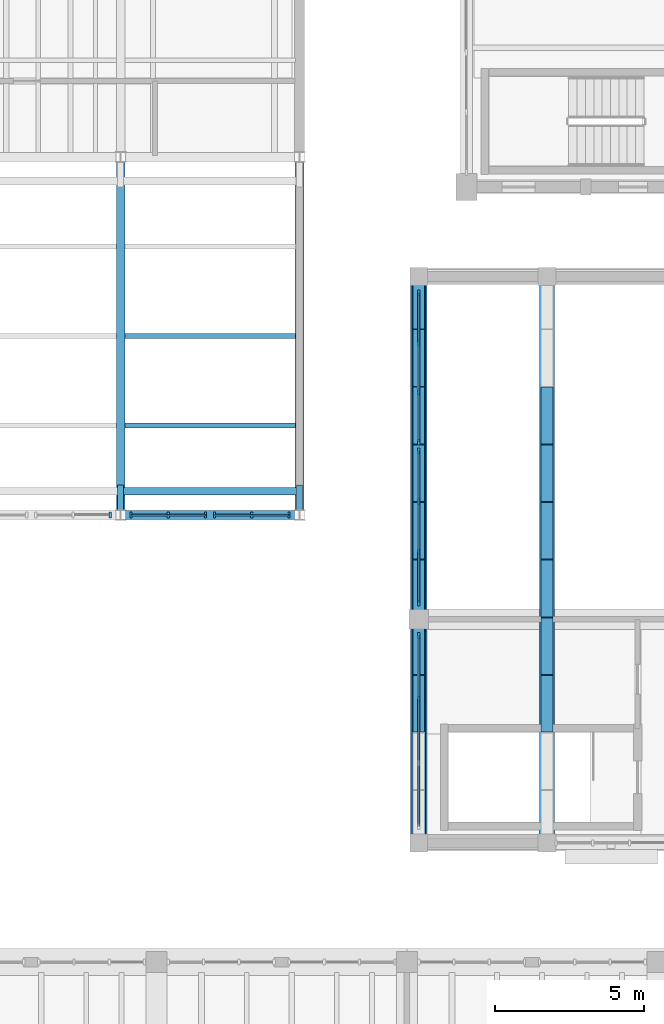
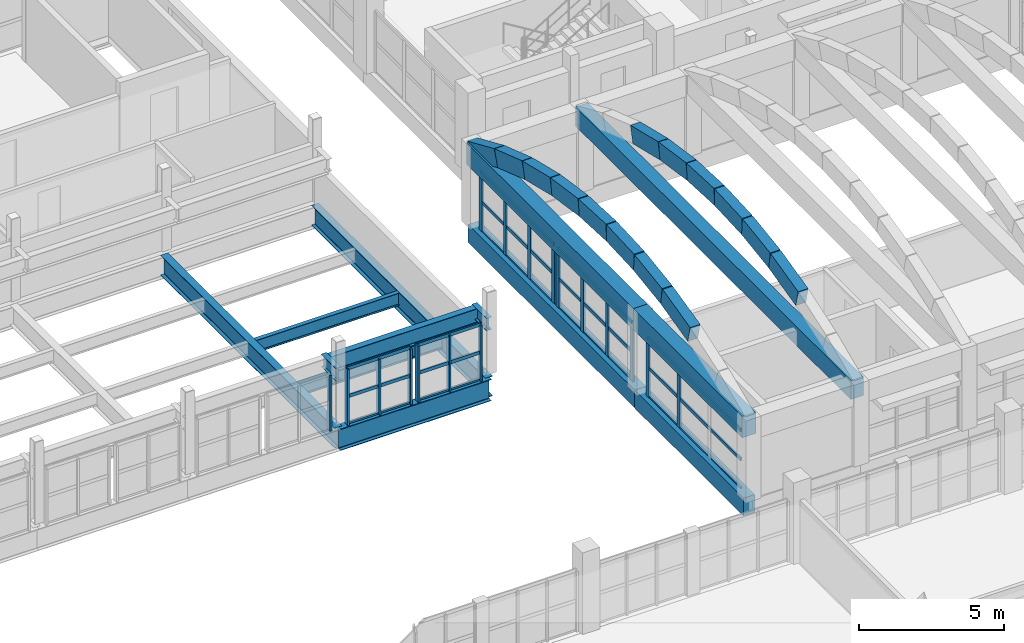
# One storey, part 42 of 77: 46 members, 13 beams, 6 elements without a shape of their own.
"""IFC4 building model written with IfcOpenShell, lengths in metres."""

from ifc_helpers import new_model, si_unit, direction, frame, origin, origin_2d, place, context, subcontext, project, spatial, rectangle, i_section, extrude, material, layer, layer_set, material_profile, profile_set, type_object, element, aggregate, save


model = new_model("IFC4")

# Units and contexts
model_context = context("Model", 3, precision=1e-05, world=origin(), true_north=direction((0.0, 1.0)))
body_context = subcontext(model_context, "Body", "Model", "MODEL_VIEW")
ifc_project = project(units=[si_unit("LENGTHUNIT", "METRE"), si_unit("AREAUNIT", "SQUARE_METRE"), si_unit("VOLUMEUNIT", "CUBIC_METRE"), si_unit("PLANEANGLEUNIT", "RADIAN"), si_unit("MASSUNIT", "GRAM", prefix="KILO")], contexts=[model_context])

# Site, building, storey
site_placement = place(None, origin())
site = spatial("IfcSite", under=ifc_project, at=site_placement, CompositionType="ELEMENT")
building_placement = place(site_placement, origin())
building = spatial("IfcBuilding", under=site, at=building_placement, Name="Trellovar Central Fire Station", CompositionType="ELEMENT")
storey_placement = place(building_placement, frame((0.0, 0.0, 5.85009765625)))
storey = spatial("IfcBuildingStorey", under=building, at=storey_placement, Name="L02", CompositionType="ELEMENT", Elevation=5.85009765625)

# Beams
ifc_material_1 = material(Name="Concrete C40/50", Category="concrete")
ifc_material_profile_1 = material_profile(ifc_material_1, rectangle(XDim=0.449951171875, YDim=0.75, at=origin_2d()), Name="RC450X750")
ifc_profile_set_1 = profile_set([ifc_material_profile_1], Name="Concrete C40/50")
beam_type_1 = type_object("IfcBeamType", Name="BM-G2", PredefinedType="BEAM", material=ifc_profile_set_1)
beam_1_placement = place(storey_placement, frame((139.5, 37.0, -0.375), z_axis=(0.0, 1.0, 0.0), x_axis=(-1.0, 0.0, 0.0)))
element("IfcBeam", 1, at=beam_1_placement, inside=storey, type_object=beam_type_1, Name="L02 beam G-2", PredefinedType="BEAM", context=body_context, shape_type="SweptSolid", body=[
    extrude(rectangle(XDim=0.449951171875, YDim=0.75, at=origin_2d()), origin(), (0.0, 0.0, 1.0), 7.5),
])
beam_2_placement = place(storey_placement, frame((139.5, 44.5, -0.375), z_axis=(0.0, 1.0, 0.0), x_axis=(-1.0, 0.0, 0.0)))
element("IfcBeam", 2, at=beam_2_placement, inside=storey, type_object=beam_type_1, Name="L02 beam G-2", PredefinedType="BEAM", context=body_context, shape_type="SweptSolid", body=[
    extrude(rectangle(XDim=0.449951171875, YDim=0.75, at=origin_2d()), origin(), (0.0, 0.0, 1.0), 11.5),
])
ifc_material_2 = material(Name="Concrete C40/50", Category="concrete")
ifc_material_profile_2 = material_profile(ifc_material_2, rectangle(XDim=0.550048828125, YDim=0.89990234375, at=origin_2d()), Name="RC550X900")
ifc_profile_set_2 = profile_set([ifc_material_profile_2], Name="Concrete C40/50")
beam_type_2 = type_object("IfcBeamType", Name="BM-RG3", PredefinedType="BEAM", material=ifc_profile_set_2)
beam_3_placement = place(storey_placement, frame((139.5, 37.0, 3.0), z_axis=(0.0, 1.0, 0.0), x_axis=(-1.0, 0.0, 0.0)))
element("IfcBeam", 3, at=beam_3_placement, inside=storey, type_object=beam_type_2, Name="L02 beam RG-3", PredefinedType="BEAM", context=body_context, shape_type="SweptSolid", body=[
    extrude(rectangle(XDim=0.550048828125, YDim=0.89990234375, at=origin_2d()), origin(), (0.0, 0.0, 1.0), 7.5),
])
beam_4_placement = place(storey_placement, frame((139.5, 44.5, 3.0), z_axis=(0.0, 1.0, 0.0), x_axis=(-1.0, 0.0, 0.0)))
element("IfcBeam", 4, at=beam_4_placement, inside=storey, type_object=beam_type_2, Name="L02 beam RG-3", PredefinedType="BEAM", context=body_context, shape_type="SweptSolid", body=[
    extrude(rectangle(XDim=0.550048828125, YDim=0.89990234375, at=origin_2d()), origin(), (0.0, 0.0, 1.0), 11.5),
])
ifc_material_3 = material(Name="Steel ASTM A992 Grade 50", Category="steel")
ifc_material_profile_3 = material_profile(ifc_material_3, i_section(OverallWidth=0.3046875, OverallDepth=0.911865234375, WebThickness=0.015869140625, FlangeThickness=0.02392578125, FilletRadius=0.024169921875, at=origin_2d()), Name="W36X150")
ifc_profile_set_3 = profile_set([ifc_material_profile_3], Name="Steel ASTM A992 Grade 50")
beam_type_3 = type_object("IfcBeamType", Name="BM-SW1", PredefinedType="BEAM", material=ifc_profile_set_3)
beam_5_placement = place(storey_placement, frame((129.5, 48.0, -0.7060546875), z_axis=(1.0, 0.0, 0.0), x_axis=(0.0, 1.0, 0.0)))
element("IfcBeam", 5, at=beam_5_placement, inside=storey, type_object=beam_type_3, Name="L02 beam SB-1", PredefinedType="BEAM", context=body_context, shape_type="SweptSolid", body=[
    extrude(i_section(OverallWidth=0.3046875, OverallDepth=0.911865234375, WebThickness=0.015869140625, FlangeThickness=0.02392578125, FilletRadius=0.024169921875, at=origin_2d()), origin(), (0.0, 0.0, 1.0), 6.0),
])
ifc_material_4 = material(Name="Steel ASTM A992 Grade 50", Category="steel")
ifc_material_profile_4 = material_profile(ifc_material_4, i_section(OverallWidth=0.2919921875, OverallDepth=0.8408203125, WebThickness=0.0146484375, FlangeThickness=0.021728515625, FilletRadius=0.020263671875, at=origin_2d()), Name="W33X130")
ifc_profile_set_4 = profile_set([ifc_material_profile_4], Name="Steel ASTM A992 Grade 50")
beam_type_4 = type_object("IfcBeamType", Name="BM-SW2", PredefinedType="BEAM", material=ifc_profile_set_4)
for number, where, z_axis, x_axis, name in (
    (6, (129.5, 48.0, -0.67041015625), (0.0, 1.0, 0.0), (-1.0, 0.0, 0.0), "L02 beam SB-2"),
    (7, (135.5, 48.0, -0.67041015625), (0.0, 1.0, 0.0), (-1.0, 0.0, 0.0), "L02 beam SB-2"),
):
    element("IfcBeam", number, at=place(storey_placement, frame(where, z_axis=z_axis, x_axis=x_axis)), inside=storey, type_object=beam_type_4, Name=name, PredefinedType="BEAM", context=body_context, shape_type="SweptSolid", body=[
        extrude(i_section(OverallWidth=0.2919921875, OverallDepth=0.8408203125, WebThickness=0.0146484375, FlangeThickness=0.021728515625, FilletRadius=0.020263671875, at=origin_2d()), origin(), (0.0, 0.0, 1.0), 12.0),
    ])
ifc_material_5 = material(Name="Steel ASTM A992 Grade 50", Category="steel")
ifc_material_profile_5 = material_profile(ifc_material_5, i_section(OverallWidth=0.253662109375, OverallDepth=0.683349609375, WebThickness=0.012451171875, FlangeThickness=0.018798828125, FilletRadius=0.0166015625, at=origin_2d()), Name="W27X94")
ifc_profile_set_5 = profile_set([ifc_material_profile_5], Name="Steel ASTM A992 Grade 50")
beam_type_5 = type_object("IfcBeamType", Name="BM-SW4", PredefinedType="BEAM", material=ifc_profile_set_5)
beam_6_placement = place(storey_placement, frame((129.5, 48.800048828125, 1.908203125), z_axis=(1.0, 0.0, 0.0), x_axis=(0.0, 1.0, 0.0)))
element("IfcBeam", 8, at=beam_6_placement, inside=storey, type_object=beam_type_5, Name="Fleet workshop 10t bridge crane runway beam", PredefinedType="BEAM", context=body_context, shape_type="SweptSolid", body=[
    extrude(i_section(OverallWidth=0.253662109375, OverallDepth=0.683349609375, WebThickness=0.012451171875, FlangeThickness=0.018798828125, FilletRadius=0.0166015625, at=origin_2d()), origin(), (0.0, 0.0, 1.0), 6.0),
])
ifc_material_6 = material(Name="Steel ASTM A992 Grade 50", Category="steel")
ifc_material_profile_6 = material_profile(ifc_material_6, i_section(OverallWidth=0.209228515625, OverallDepth=0.533447265625, WebThickness=0.01025390625, FlangeThickness=0.015625, FilletRadius=0.013916015625, at=origin_2d()), Name="W21X62")
ifc_profile_set_6 = profile_set([ifc_material_profile_6], Name="Steel ASTM A992 Grade 50")
beam_type_6 = type_object("IfcBeamType", Name="BM-SW7", PredefinedType="BEAM", material=ifc_profile_set_6)
for number, where, z_axis, x_axis, name in (
    (9, (129.5, 48.0, 1.983154296875), (0.0, 1.0, 0.0), (-1.0, 0.0, 0.0), "Crane runway column corbel S"),
    (10, (135.5, 48.0, 1.983154296875), (0.0, 1.0, 0.0), (-1.0, 0.0, 0.0), "Crane runway column corbel S"),
):
    element("IfcBeam", number, at=place(storey_placement, frame(where, z_axis=z_axis, x_axis=x_axis)), inside=storey, type_object=beam_type_6, Name=name, PredefinedType="BEAM", context=body_context, shape_type="SweptSolid", body=[
        extrude(i_section(OverallWidth=0.209228515625, OverallDepth=0.533447265625, WebThickness=0.01025390625, FlangeThickness=0.015625, FilletRadius=0.013916015625, at=origin_2d()), origin(), (0.0, 0.0, 1.0), 1.0),
    ])
ifc_material_7 = material(Name="Steel ASTM A992 Grade 50", Category="steel")
ifc_material_profile_7 = material_profile(ifc_material_7, i_section(OverallWidth=0.166015625, OverallDepth=0.529052734375, WebThickness=0.009765625, FlangeThickness=0.013671875, FilletRadius=0.013916015625, at=origin_2d()), Name="W21X50")
ifc_profile_set_7 = profile_set([ifc_material_profile_7], Name="Steel ASTM A992 Grade 50")
beam_type_7 = type_object("IfcBeamType", Name="BM-SW8", PredefinedType="JOIST", material=ifc_profile_set_7)
for number, where, z_axis, x_axis, name in (
    (11, (129.64111328125, 51.0, -0.5146484375), (1.0, 0.0, 0.0), (0.0, 1.0, 0.0), "L02 beam SB-8"),
    (12, (129.64111328125, 54.0, -0.5146484375), (1.0, 0.0, 0.0), (0.0, 1.0, 0.0), "L02 beam SB-8"),
):
    element("IfcBeam", number, at=place(storey_placement, frame(where, z_axis=z_axis, x_axis=x_axis)), inside=storey, type_object=beam_type_7, Name=name, PredefinedType="JOIST", context=body_context, shape_type="SweptSolid", body=[
        extrude(i_section(OverallWidth=0.166015625, OverallDepth=0.529052734375, WebThickness=0.009765625, FlangeThickness=0.013671875, FilletRadius=0.013916015625, at=origin_2d()), origin(), (0.0, 0.0, 1.0), 5.7177734375),
    ])
ifc_material_8 = material(Name="Concrete C40/50", Category="concrete")
ifc_material_profile_8 = material_profile(ifc_material_8, rectangle(XDim=0.5, YDim=0.800048828125, at=origin_2d()), Name="RC500X800")
ifc_profile_set_8 = profile_set([ifc_material_profile_8], Name="Concrete C40/50")
beam_type_8 = type_object("IfcBeamType", Name="BM-VT1", PredefinedType="BEAM", material=ifc_profile_set_8)
beam_7_placement = place(storey_placement, frame((143.800048828125, 37.0, 3.0498046875), z_axis=(0.0, 1.0, 0.0), x_axis=(-1.0, 0.0, 0.0)))
element("IfcBeam", 13, at=beam_7_placement, inside=storey, type_object=beam_type_8, Name="V3 vault tension tie beam VT-2-02", PredefinedType="BEAM", context=body_context, shape_type="SweptSolid", body=[
    extrude(rectangle(XDim=0.5, YDim=0.800048828125, at=origin_2d()), origin(), (0.0, 0.0, 1.0), 19.0),
])

# Curtain wall, member
ifc_material_9 = material(Name="Thermally broken bronze anodized aluminum", Category="aluminium")
ifc_layer_1 = layer(ifc_material_9, 0.159912109375)
ifc_layer_set_1 = layer_set([ifc_layer_1], Name="Thermally broken bronze anodized aluminum")
curtain_wall_type_1 = type_object("IfcCurtainWallType", Name="CW-08", PredefinedType="NOTDEFINED", material=ifc_layer_set_1)
curtain_wall_1_placement = place(storey_placement, origin())
curtain_wall_1 = element("IfcCurtainWall", 14, at=curtain_wall_1_placement, inside=storey, type_object=curtain_wall_type_1, Name="V6 workshop upper clerestory 4B", PredefinedType="NOTDEFINED")
ifc_material_10 = material(Name="Thermally broken bronze anodized aluminum", Category="aluminium")
ifc_material_profile_9 = material_profile(ifc_material_10, rectangle(XDim=0.074951171875, YDim=0.199951171875, at=origin_2d()), Name="ALU75X200")
ifc_profile_set_9 = profile_set([ifc_material_profile_9], Name="Thermally broken bronze anodized aluminum")
member_type_1 = type_object("IfcMemberType", Name="CWM-1", PredefinedType="MULLION", material=ifc_profile_set_9)
member_1_placement = place(storey_placement, frame((129.14990234375, 48.0, -0.25), z_axis=(0.0, 0.0, 1.0), x_axis=(1.0, 0.0, 0.0)))
member_1 = element("IfcMember", 15, at=member_1_placement, type_object=member_type_1, Name="CW3-L02-0129 mullion 3", PredefinedType="MULLION", context=body_context, shape_type="SweptSolid", body=[
    extrude(rectangle(XDim=0.074951171875, YDim=0.199951171875, at=origin_2d()), origin(), (0.0, 0.0, 1.0), 2.349853515625),
])
aggregate(curtain_wall_1, [member_1])

# Curtain wall, members
curtain_wall_2_placement = place(storey_placement, origin())
curtain_wall_2 = element("IfcCurtainWall", 16, at=curtain_wall_2_placement, inside=storey, type_object=curtain_wall_type_1, Name="V6 workshop upper clerestory 5A", PredefinedType="NOTDEFINED")
member_2_placement = place(storey_placement, frame((129.85009765625, 48.0, -0.25), z_axis=(0.0, 0.0, 1.0), x_axis=(1.0, 0.0, 0.0)))
member_2 = element("IfcMember", 17, at=member_2_placement, type_object=member_type_1, Name="CW3-L02-0136 mullion 1", PredefinedType="MULLION", context=body_context, shape_type="SweptSolid", body=[
    extrude(rectangle(XDim=0.074951171875, YDim=0.199951171875, at=origin_2d()), origin(), (0.0, 0.0, 1.0), 2.349853515625),
])
member_3_placement = place(storey_placement, frame((131.10009765625, 48.0, -0.25), z_axis=(0.0, 0.0, 1.0), x_axis=(1.0, 0.0, 0.0)))
member_3 = element("IfcMember", 18, at=member_3_placement, type_object=member_type_1, Name="CW3-L02-0136 mullion 2", PredefinedType="MULLION", context=body_context, shape_type="SweptSolid", body=[
    extrude(rectangle(XDim=0.074951171875, YDim=0.199951171875, at=origin_2d()), origin(), (0.0, 0.0, 1.0), 2.349853515625),
])
member_4_placement = place(storey_placement, frame((132.35009765625, 48.0, -0.25), z_axis=(0.0, 0.0, 1.0), x_axis=(1.0, 0.0, 0.0)))
member_4 = element("IfcMember", 19, at=member_4_placement, type_object=member_type_1, Name="CW3-L02-0136 mullion 3", PredefinedType="MULLION", context=body_context, shape_type="SweptSolid", body=[
    extrude(rectangle(XDim=0.074951171875, YDim=0.199951171875, at=origin_2d()), origin(), (0.0, 0.0, 1.0), 2.349853515625),
])

curtain_wall_3_placement = place(storey_placement, origin())
curtain_wall_3 = element("IfcCurtainWall", 20, at=curtain_wall_3_placement, inside=storey, type_object=curtain_wall_type_1, Name="V6 workshop upper clerestory 5B", PredefinedType="NOTDEFINED")
member_5_placement = place(storey_placement, frame((132.64990234375, 48.0, -0.25), z_axis=(0.0, 0.0, 1.0), x_axis=(1.0, 0.0, 0.0)))
member_5 = element("IfcMember", 21, at=member_5_placement, type_object=member_type_1, Name="CW3-L02-0137 mullion 1", PredefinedType="MULLION", context=body_context, shape_type="SweptSolid", body=[
    extrude(rectangle(XDim=0.074951171875, YDim=0.199951171875, at=origin_2d()), origin(), (0.0, 0.0, 1.0), 2.349853515625),
])
member_6_placement = place(storey_placement, frame((133.89990234375, 48.0, -0.25), z_axis=(0.0, 0.0, 1.0), x_axis=(1.0, 0.0, 0.0)))
member_6 = element("IfcMember", 22, at=member_6_placement, type_object=member_type_1, Name="CW3-L02-0137 mullion 2", PredefinedType="MULLION", context=body_context, shape_type="SweptSolid", body=[
    extrude(rectangle(XDim=0.074951171875, YDim=0.199951171875, at=origin_2d()), origin(), (0.0, 0.0, 1.0), 2.349853515625),
])
member_7_placement = place(storey_placement, frame((135.14990234375, 48.0, -0.25), z_axis=(0.0, 0.0, 1.0), x_axis=(1.0, 0.0, 0.0)))
member_7 = element("IfcMember", 23, at=member_7_placement, type_object=member_type_1, Name="CW3-L02-0137 mullion 3", PredefinedType="MULLION", context=body_context, shape_type="SweptSolid", body=[
    extrude(rectangle(XDim=0.074951171875, YDim=0.199951171875, at=origin_2d()), origin(), (0.0, 0.0, 1.0), 2.349853515625),
])

ifc_material_11 = material(Name="Thermally broken bronze anodized aluminum", Category="aluminium")
ifc_layer_2 = layer(ifc_material_11, 0.159912109375)
ifc_layer_set_2 = layer_set([ifc_layer_2], Name="Thermally broken bronze anodized aluminum")
curtain_wall_type_2 = type_object("IfcCurtainWallType", Name="CW-12", PredefinedType="NOTDEFINED", material=ifc_layer_set_2)
curtain_wall_4_placement = place(storey_placement, origin())
curtain_wall_4 = element("IfcCurtainWall", 24, at=curtain_wall_4_placement, inside=storey, type_object=curtain_wall_type_2, Name="V3 L02 W gallery CW", PredefinedType="NOTDEFINED")
member_8_placement = place(storey_placement, frame((139.5, 41.816650390625, 0.0), z_axis=(0.0, 0.0, 1.0), x_axis=(1.0, 0.0, 0.0)))
member_8 = element("IfcMember", 25, at=member_8_placement, type_object=member_type_1, Name="CW3-L02-0148 mullion 3", PredefinedType="MULLION", context=body_context, shape_type="SweptSolid", body=[
    extrude(rectangle(XDim=0.074951171875, YDim=0.199951171875, at=origin_2d()), origin(), (0.0, 0.0, 1.0), 2.449951171875),
])
member_9_placement = place(storey_placement, frame((139.5, 43.949951171875, 0.0), z_axis=(0.0, 0.0, 1.0), x_axis=(1.0, 0.0, 0.0)))
member_9 = element("IfcMember", 26, at=member_9_placement, type_object=member_type_1, Name="CW3-L02-0148 mullion 4", PredefinedType="MULLION", context=body_context, shape_type="SweptSolid", body=[
    extrude(rectangle(XDim=0.074951171875, YDim=0.199951171875, at=origin_2d()), origin(), (0.0, 0.0, 1.0), 2.449951171875),
])

ifc_material_12 = material(Name="Thermally broken bronze anodized aluminum", Category="aluminium")
ifc_layer_3 = layer(ifc_material_12, 0.159912109375)
ifc_layer_set_3 = layer_set([ifc_layer_3], Name="Thermally broken bronze anodized aluminum")
curtain_wall_type_3 = type_object("IfcCurtainWallType", Name="CW-13", PredefinedType="NOTDEFINED", material=ifc_layer_set_3)
curtain_wall_5_placement = place(storey_placement, origin())
curtain_wall_5 = element("IfcCurtainWall", 27, at=curtain_wall_5_placement, inside=storey, type_object=curtain_wall_type_3, Name="V3 L02 W auditorium clerestory S", PredefinedType="NOTDEFINED")
member_10_placement = place(storey_placement, frame((139.5, 45.050048828125, 0.0), z_axis=(0.0, 0.0, 1.0), x_axis=(1.0, 0.0, 0.0)))
member_10 = element("IfcMember", 28, at=member_10_placement, type_object=member_type_1, Name="CW3-L02-0149 mullion 1", PredefinedType="MULLION", context=body_context, shape_type="SweptSolid", body=[
    extrude(rectangle(XDim=0.074951171875, YDim=0.199951171875, at=origin_2d()), origin(), (0.0, 0.0, 1.0), 2.449951171875),
])
member_11_placement = place(storey_placement, frame((139.5, 46.75, 0.0), z_axis=(0.0, 0.0, 1.0), x_axis=(1.0, 0.0, 0.0)))
member_11 = element("IfcMember", 29, at=member_11_placement, type_object=member_type_1, Name="CW3-L02-0149 mullion 2", PredefinedType="MULLION", context=body_context, shape_type="SweptSolid", body=[
    extrude(rectangle(XDim=0.074951171875, YDim=0.199951171875, at=origin_2d()), origin(), (0.0, 0.0, 1.0), 2.449951171875),
])
member_12_placement = place(storey_placement, frame((139.5, 48.449951171875, 0.0), z_axis=(0.0, 0.0, 1.0), x_axis=(1.0, 0.0, 0.0)))
member_12 = element("IfcMember", 30, at=member_12_placement, type_object=member_type_1, Name="CW3-L02-0149 mullion 3", PredefinedType="MULLION", context=body_context, shape_type="SweptSolid", body=[
    extrude(rectangle(XDim=0.074951171875, YDim=0.199951171875, at=origin_2d()), origin(), (0.0, 0.0, 1.0), 2.449951171875),
])
member_13_placement = place(storey_placement, frame((139.5, 50.14990234375, 0.0), z_axis=(0.0, 0.0, 1.0), x_axis=(1.0, 0.0, 0.0)))
member_13 = element("IfcMember", 31, at=member_13_placement, type_object=member_type_1, Name="CW3-L02-0149 mullion 4", PredefinedType="MULLION", context=body_context, shape_type="SweptSolid", body=[
    extrude(rectangle(XDim=0.074951171875, YDim=0.199951171875, at=origin_2d()), origin(), (0.0, 0.0, 1.0), 2.449951171875),
])

curtain_wall_6_placement = place(storey_placement, origin())
curtain_wall_6 = element("IfcCurtainWall", 32, at=curtain_wall_6_placement, inside=storey, type_object=curtain_wall_type_3, Name="V3 L02 W auditorium clerestory N", PredefinedType="NOTDEFINED")
member_14_placement = place(storey_placement, frame((139.5, 50.449951171875, 0.0), z_axis=(0.0, 0.0, 1.0), x_axis=(1.0, 0.0, 0.0)))
member_14 = element("IfcMember", 33, at=member_14_placement, type_object=member_type_1, Name="CW3-L02-0150 mullion 1", PredefinedType="MULLION", context=body_context, shape_type="SweptSolid", body=[
    extrude(rectangle(XDim=0.074951171875, YDim=0.199951171875, at=origin_2d()), origin(), (0.0, 0.0, 1.0), 2.449951171875),
])
member_15_placement = place(storey_placement, frame((139.5, 52.11669921875, 0.0), z_axis=(0.0, 0.0, 1.0), x_axis=(1.0, 0.0, 0.0)))
member_15 = element("IfcMember", 34, at=member_15_placement, type_object=member_type_1, Name="CW3-L02-0150 mullion 2", PredefinedType="MULLION", context=body_context, shape_type="SweptSolid", body=[
    extrude(rectangle(XDim=0.074951171875, YDim=0.199951171875, at=origin_2d()), origin(), (0.0, 0.0, 1.0), 2.449951171875),
])
member_16_placement = place(storey_placement, frame((139.5, 53.783203125, 0.0), z_axis=(0.0, 0.0, 1.0), x_axis=(1.0, 0.0, 0.0)))
member_16 = element("IfcMember", 35, at=member_16_placement, type_object=member_type_1, Name="CW3-L02-0150 mullion 3", PredefinedType="MULLION", context=body_context, shape_type="SweptSolid", body=[
    extrude(rectangle(XDim=0.074951171875, YDim=0.199951171875, at=origin_2d()), origin(), (0.0, 0.0, 1.0), 2.449951171875),
])
member_17_placement = place(storey_placement, frame((139.5, 55.449951171875, 0.0), z_axis=(0.0, 0.0, 1.0), x_axis=(1.0, 0.0, 0.0)))
member_17 = element("IfcMember", 36, at=member_17_placement, type_object=member_type_1, Name="CW3-L02-0150 mullion 4", PredefinedType="MULLION", context=body_context, shape_type="SweptSolid", body=[
    extrude(rectangle(XDim=0.074951171875, YDim=0.199951171875, at=origin_2d()), origin(), (0.0, 0.0, 1.0), 2.449951171875),
])

# Member
ifc_material_13 = material(Name="Thermally broken bronze anodized aluminum", Category="aluminium")
ifc_material_profile_10 = material_profile(ifc_material_13, rectangle(XDim=0.06005859375, YDim=0.139892578125, at=origin_2d()), Name="ALU60X140")
ifc_profile_set_10 = profile_set([ifc_material_profile_10], Name="Thermally broken bronze anodized aluminum")
member_type_2 = type_object("IfcMemberType", Name="CWT-1", PredefinedType="USERDEFINED", material=ifc_profile_set_10)
member_18_placement = place(storey_placement, frame((129.85009765625, 48.0, -0.25), z_axis=(1.0, 0.0, 0.0), x_axis=(0.0, 1.0, 0.0)))
member_18 = element("IfcMember", 37, at=member_18_placement, type_object=member_type_2, Name="CW3-L02-0136 transom 1", ObjectType="TRANSOM", PredefinedType="USERDEFINED", context=body_context, shape_type="SweptSolid", body=[
    extrude(rectangle(XDim=0.06005859375, YDim=0.139892578125, at=origin_2d()), origin(), (0.0, 0.0, 1.0), 2.5),
])

member_19_placement = place(storey_placement, frame((129.85009765625, 48.0, 0.9248046875), z_axis=(1.0, 0.0, 0.0), x_axis=(0.0, 1.0, 0.0)))
member_19 = element("IfcMember", 38, at=member_19_placement, type_object=member_type_2, Name="CW3-L02-0136 transom 2", ObjectType="TRANSOM", PredefinedType="USERDEFINED", context=body_context, shape_type="SweptSolid", body=[
    extrude(rectangle(XDim=0.06005859375, YDim=0.139892578125, at=origin_2d()), origin(), (0.0, 0.0, 1.0), 2.5),
])

member_20_placement = place(storey_placement, frame((129.85009765625, 48.0, 2.099853515625), z_axis=(1.0, 0.0, 0.0), x_axis=(0.0, 1.0, 0.0)))
member_20 = element("IfcMember", 39, at=member_20_placement, type_object=member_type_2, Name="CW3-L02-0136 transom 3", ObjectType="TRANSOM", PredefinedType="USERDEFINED", context=body_context, shape_type="SweptSolid", body=[
    extrude(rectangle(XDim=0.06005859375, YDim=0.139892578125, at=origin_2d()), origin(), (0.0, 0.0, 1.0), 2.5),
])

aggregate(curtain_wall_2, [member_2, member_3, member_4, member_18, member_19, member_20])

member_21_placement = place(storey_placement, frame((132.64990234375, 48.0, -0.25), z_axis=(1.0, 0.0, 0.0), x_axis=(0.0, 1.0, 0.0)))
member_21 = element("IfcMember", 40, at=member_21_placement, type_object=member_type_2, Name="CW3-L02-0137 transom 1", ObjectType="TRANSOM", PredefinedType="USERDEFINED", context=body_context, shape_type="SweptSolid", body=[
    extrude(rectangle(XDim=0.06005859375, YDim=0.139892578125, at=origin_2d()), origin(), (0.0, 0.0, 1.0), 2.5),
])

member_22_placement = place(storey_placement, frame((132.64990234375, 48.0, 0.9248046875), z_axis=(1.0, 0.0, 0.0), x_axis=(0.0, 1.0, 0.0)))
member_22 = element("IfcMember", 41, at=member_22_placement, type_object=member_type_2, Name="CW3-L02-0137 transom 2", ObjectType="TRANSOM", PredefinedType="USERDEFINED", context=body_context, shape_type="SweptSolid", body=[
    extrude(rectangle(XDim=0.06005859375, YDim=0.139892578125, at=origin_2d()), origin(), (0.0, 0.0, 1.0), 2.5),
])

member_23_placement = place(storey_placement, frame((132.64990234375, 48.0, 2.099853515625), z_axis=(1.0, 0.0, 0.0), x_axis=(0.0, 1.0, 0.0)))
member_23 = element("IfcMember", 42, at=member_23_placement, type_object=member_type_2, Name="CW3-L02-0137 transom 3", ObjectType="TRANSOM", PredefinedType="USERDEFINED", context=body_context, shape_type="SweptSolid", body=[
    extrude(rectangle(XDim=0.06005859375, YDim=0.139892578125, at=origin_2d()), origin(), (0.0, 0.0, 1.0), 2.5),
])

aggregate(curtain_wall_3, [member_5, member_6, member_7, member_21, member_22, member_23])

member_24_placement = place(storey_placement, frame((139.5, 37.550048828125, 0.0), z_axis=(0.0, 1.0, 0.0), x_axis=(-1.0, 0.0, 0.0)))
member_24 = element("IfcMember", 43, at=member_24_placement, type_object=member_type_2, Name="CW3-L02-0148 transom 1", ObjectType="TRANSOM", PredefinedType="USERDEFINED", context=body_context, shape_type="SweptSolid", body=[
    extrude(rectangle(XDim=0.06005859375, YDim=0.139892578125, at=origin_2d()), origin(), (0.0, 0.0, 1.0), 6.39990234375),
])

member_25_placement = place(storey_placement, frame((139.5, 37.550048828125, 1.224853515625), z_axis=(0.0, 1.0, 0.0), x_axis=(-1.0, 0.0, 0.0)))
member_25 = element("IfcMember", 44, at=member_25_placement, type_object=member_type_2, Name="CW3-L02-0148 transom 2", ObjectType="TRANSOM", PredefinedType="USERDEFINED", context=body_context, shape_type="SweptSolid", body=[
    extrude(rectangle(XDim=0.06005859375, YDim=0.139892578125, at=origin_2d()), origin(), (0.0, 0.0, 1.0), 6.39990234375),
])

member_26_placement = place(storey_placement, frame((139.5, 37.550048828125, 2.449951171875), z_axis=(0.0, 1.0, 0.0), x_axis=(-1.0, 0.0, 0.0)))
member_26 = element("IfcMember", 45, at=member_26_placement, type_object=member_type_2, Name="CW3-L02-0148 transom 3", ObjectType="TRANSOM", PredefinedType="USERDEFINED", context=body_context, shape_type="SweptSolid", body=[
    extrude(rectangle(XDim=0.06005859375, YDim=0.139892578125, at=origin_2d()), origin(), (0.0, 0.0, 1.0), 6.39990234375),
])

aggregate(curtain_wall_4, [member_8, member_9, member_24, member_25, member_26])

member_27_placement = place(storey_placement, frame((139.5, 45.050048828125, 0.0), z_axis=(0.0, 1.0, 0.0), x_axis=(-1.0, 0.0, 0.0)))
member_27 = element("IfcMember", 46, at=member_27_placement, type_object=member_type_2, Name="CW3-L02-0149 transom 1", ObjectType="TRANSOM", PredefinedType="USERDEFINED", context=body_context, shape_type="SweptSolid", body=[
    extrude(rectangle(XDim=0.06005859375, YDim=0.139892578125, at=origin_2d()), origin(), (0.0, 0.0, 1.0), 5.099853515625),
])

member_28_placement = place(storey_placement, frame((139.5, 45.050048828125, 1.224853515625), z_axis=(0.0, 1.0, 0.0), x_axis=(-1.0, 0.0, 0.0)))
member_28 = element("IfcMember", 47, at=member_28_placement, type_object=member_type_2, Name="CW3-L02-0149 transom 2", ObjectType="TRANSOM", PredefinedType="USERDEFINED", context=body_context, shape_type="SweptSolid", body=[
    extrude(rectangle(XDim=0.06005859375, YDim=0.139892578125, at=origin_2d()), origin(), (0.0, 0.0, 1.0), 5.099853515625),
])

member_29_placement = place(storey_placement, frame((139.5, 45.050048828125, 2.449951171875), z_axis=(0.0, 1.0, 0.0), x_axis=(-1.0, 0.0, 0.0)))
member_29 = element("IfcMember", 48, at=member_29_placement, type_object=member_type_2, Name="CW3-L02-0149 transom 3", ObjectType="TRANSOM", PredefinedType="USERDEFINED", context=body_context, shape_type="SweptSolid", body=[
    extrude(rectangle(XDim=0.06005859375, YDim=0.139892578125, at=origin_2d()), origin(), (0.0, 0.0, 1.0), 5.099853515625),
])

aggregate(curtain_wall_5, [member_10, member_11, member_12, member_13, member_27, member_28, member_29])

member_30_placement = place(storey_placement, frame((139.5, 50.449951171875, 0.0), z_axis=(0.0, 1.0, 0.0), x_axis=(-1.0, 0.0, 0.0)))
member_30 = element("IfcMember", 49, at=member_30_placement, type_object=member_type_2, Name="CW3-L02-0150 transom 1", ObjectType="TRANSOM", PredefinedType="USERDEFINED", context=body_context, shape_type="SweptSolid", body=[
    extrude(rectangle(XDim=0.06005859375, YDim=0.139892578125, at=origin_2d()), origin(), (0.0, 0.0, 1.0), 5.0),
])

member_31_placement = place(storey_placement, frame((139.5, 50.449951171875, 1.224853515625), z_axis=(0.0, 1.0, 0.0), x_axis=(-1.0, 0.0, 0.0)))
member_31 = element("IfcMember", 50, at=member_31_placement, type_object=member_type_2, Name="CW3-L02-0150 transom 2", ObjectType="TRANSOM", PredefinedType="USERDEFINED", context=body_context, shape_type="SweptSolid", body=[
    extrude(rectangle(XDim=0.06005859375, YDim=0.139892578125, at=origin_2d()), origin(), (0.0, 0.0, 1.0), 5.0),
])

member_32_placement = place(storey_placement, frame((139.5, 50.449951171875, 2.449951171875), z_axis=(0.0, 1.0, 0.0), x_axis=(-1.0, 0.0, 0.0)))
member_32 = element("IfcMember", 51, at=member_32_placement, type_object=member_type_2, Name="CW3-L02-0150 transom 3", ObjectType="TRANSOM", PredefinedType="USERDEFINED", context=body_context, shape_type="SweptSolid", body=[
    extrude(rectangle(XDim=0.06005859375, YDim=0.139892578125, at=origin_2d()), origin(), (0.0, 0.0, 1.0), 5.0),
])

aggregate(curtain_wall_6, [member_14, member_15, member_16, member_17, member_30, member_31, member_32])

# Members
ifc_material_14 = material(Name="Concrete C40/50", Category="concrete")
ifc_material_profile_11 = material_profile(ifc_material_14, rectangle(XDim=0.39990234375, YDim=0.699951171875, at=origin_2d()), Name="RC400X700")
ifc_profile_set_11 = profile_set([ifc_material_profile_11], Name="Concrete C40/50")
member_type_3 = type_object("IfcMemberType", Name="MEM-LR1", PredefinedType="CHORD", material=ifc_profile_set_11)
member_33_placement = place(storey_placement, frame((139.5, 40.800048828125, 4.572021484375), z_axis=(0.0, 0.971922850781, 0.235299749534), x_axis=(-1.0, 0.0, 0.0)))
element("IfcMember", 52, at=member_33_placement, inside=storey, type_object=member_type_3, Name="Lecture vault arch rib LR-01 chord 03", PredefinedType="CHORD", context=body_context, shape_type="SweptSolid", body=[
    extrude(rectangle(XDim=0.39990234375, YDim=0.699951171875, at=origin_2d()), origin(), (0.0, 0.0, 1.0), 1.954833984375),
])
member_34_placement = place(storey_placement, frame((139.5, 42.699951171875, 5.031982421875), z_axis=(0.0, 0.989623946132, 0.143681749856), x_axis=(-1.0, 0.0, 0.0)))
element("IfcMember", 53, at=member_34_placement, inside=storey, type_object=member_type_3, Name="Lecture vault arch rib LR-01 chord 04", PredefinedType="CHORD", context=body_context, shape_type="SweptSolid", body=[
    extrude(rectangle(XDim=0.39990234375, YDim=0.699951171875, at=origin_2d()), origin(), (0.0, 0.0, 1.0), 1.920166015625),
])
for number, where, z_axis, x_axis, name in (
    (54, (139.5, 44.60009765625, 5.307861328125), (0.0, 0.9988285962, 0.048388380978), (-1.0, 0.0, 0.0), "Lecture vault arch rib LR-01 chord 05"),
    (55, (139.5, 46.5, 5.39990234375), (0.0, 0.9988285962, -0.048388380978), (-1.0, 0.0, 0.0), "Lecture vault arch rib LR-01 chord 06"),
):
    element("IfcMember", number, at=place(storey_placement, frame(where, z_axis=z_axis, x_axis=x_axis)), inside=storey, type_object=member_type_3, Name=name, PredefinedType="CHORD", context=body_context, shape_type="SweptSolid", body=[
        extrude(rectangle(XDim=0.39990234375, YDim=0.699951171875, at=origin_2d()), origin(), (0.0, 0.0, 1.0), 1.902099609375),
    ])
member_35_placement = place(storey_placement, frame((139.5, 48.39990234375, 5.307861328125), z_axis=(0.0, 0.989623946132, -0.143681749856), x_axis=(-1.0, 0.0, 0.0)))
element("IfcMember", 56, at=member_35_placement, inside=storey, type_object=member_type_3, Name="Lecture vault arch rib LR-01 chord 07", PredefinedType="CHORD", context=body_context, shape_type="SweptSolid", body=[
    extrude(rectangle(XDim=0.39990234375, YDim=0.699951171875, at=origin_2d()), origin(), (0.0, 0.0, 1.0), 1.920166015625),
])
member_36_placement = place(storey_placement, frame((139.5, 50.300048828125, 5.031982421875), z_axis=(0.0, 0.971922850781, -0.235299749534), x_axis=(-1.0, 0.0, 0.0)))
element("IfcMember", 57, at=member_36_placement, inside=storey, type_object=member_type_3, Name="Lecture vault arch rib LR-01 chord 08", PredefinedType="CHORD", context=body_context, shape_type="SweptSolid", body=[
    extrude(rectangle(XDim=0.39990234375, YDim=0.699951171875, at=origin_2d()), origin(), (0.0, 0.0, 1.0), 1.954833984375),
])
member_37_placement = place(storey_placement, frame((139.5, 52.199951171875, 4.572021484375), z_axis=(0.0, 0.947077166316, -0.321005982878), x_axis=(-1.0, 0.0, 0.0)))
element("IfcMember", 58, at=member_37_placement, inside=storey, type_object=member_type_3, Name="Lecture vault arch rib LR-01 chord 09", PredefinedType="CHORD", context=body_context, shape_type="SweptSolid", body=[
    extrude(rectangle(XDim=0.39990234375, YDim=0.699951171875, at=origin_2d()), origin(), (0.0, 0.0, 1.0), 2.00634765625),
])
member_38_placement = place(storey_placement, frame((139.5, 54.10009765625, 3.927978515625), z_axis=(0.0, 0.916702602912, -0.399570191349), x_axis=(-1.0, 0.0, 0.0)))
element("IfcMember", 59, at=member_38_placement, inside=storey, type_object=member_type_3, Name="Lecture vault arch rib LR-01 chord 10", PredefinedType="CHORD", context=body_context, shape_type="SweptSolid", body=[
    extrude(rectangle(XDim=0.39990234375, YDim=0.699951171875, at=origin_2d()), origin(), (0.0, 0.0, 1.0), 2.072509765625),
])
member_39_placement = place(storey_placement, frame((143.800048828125, 40.800048828125, 4.572021484375), z_axis=(0.0, 0.971922850781, 0.235299749534), x_axis=(-1.0, 0.0, 0.0)))
element("IfcMember", 60, at=member_39_placement, inside=storey, type_object=member_type_3, Name="Lecture vault arch rib LR-02 chord 03", PredefinedType="CHORD", context=body_context, shape_type="SweptSolid", body=[
    extrude(rectangle(XDim=0.39990234375, YDim=0.699951171875, at=origin_2d()), origin(), (0.0, 0.0, 1.0), 1.954833984375),
])
member_40_placement = place(storey_placement, frame((143.800048828125, 42.699951171875, 5.031982421875), z_axis=(0.0, 0.989623946132, 0.143681749856), x_axis=(-1.0, 0.0, 0.0)))
element("IfcMember", 61, at=member_40_placement, inside=storey, type_object=member_type_3, Name="Lecture vault arch rib LR-02 chord 04", PredefinedType="CHORD", context=body_context, shape_type="SweptSolid", body=[
    extrude(rectangle(XDim=0.39990234375, YDim=0.699951171875, at=origin_2d()), origin(), (0.0, 0.0, 1.0), 1.920166015625),
])
for number, where, z_axis, x_axis, name in (
    (62, (143.800048828125, 44.60009765625, 5.307861328125), (0.0, 0.9988285962, 0.048388380978), (-1.0, 0.0, 0.0), "Lecture vault arch rib LR-02 chord 05"),
    (63, (143.800048828125, 46.5, 5.39990234375), (0.0, 0.9988285962, -0.048388380978), (-1.0, 0.0, 0.0), "Lecture vault arch rib LR-02 chord 06"),
):
    element("IfcMember", number, at=place(storey_placement, frame(where, z_axis=z_axis, x_axis=x_axis)), inside=storey, type_object=member_type_3, Name=name, PredefinedType="CHORD", context=body_context, shape_type="SweptSolid", body=[
        extrude(rectangle(XDim=0.39990234375, YDim=0.699951171875, at=origin_2d()), origin(), (0.0, 0.0, 1.0), 1.902099609375),
    ])
member_41_placement = place(storey_placement, frame((143.800048828125, 48.39990234375, 5.307861328125), z_axis=(0.0, 0.989623946132, -0.143681749856), x_axis=(-1.0, 0.0, 0.0)))
element("IfcMember", 64, at=member_41_placement, inside=storey, type_object=member_type_3, Name="Lecture vault arch rib LR-02 chord 07", PredefinedType="CHORD", context=body_context, shape_type="SweptSolid", body=[
    extrude(rectangle(XDim=0.39990234375, YDim=0.699951171875, at=origin_2d()), origin(), (0.0, 0.0, 1.0), 1.920166015625),
])
member_42_placement = place(storey_placement, frame((143.800048828125, 50.300048828125, 5.031982421875), z_axis=(0.0, 0.971922850781, -0.235299749534), x_axis=(-1.0, 0.0, 0.0)))
element("IfcMember", 65, at=member_42_placement, inside=storey, type_object=member_type_3, Name="Lecture vault arch rib LR-02 chord 08", PredefinedType="CHORD", context=body_context, shape_type="SweptSolid", body=[
    extrude(rectangle(XDim=0.39990234375, YDim=0.699951171875, at=origin_2d()), origin(), (0.0, 0.0, 1.0), 1.954833984375),
])

save(model, "model.ifc")
